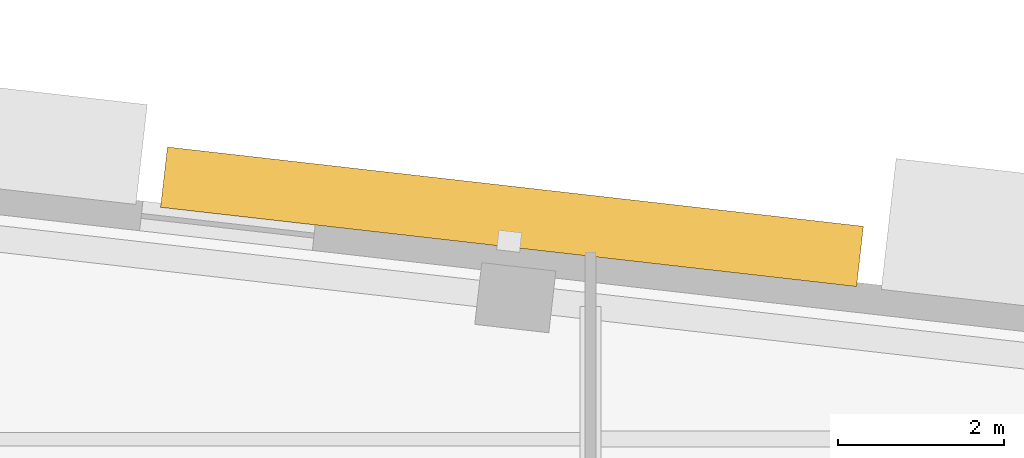
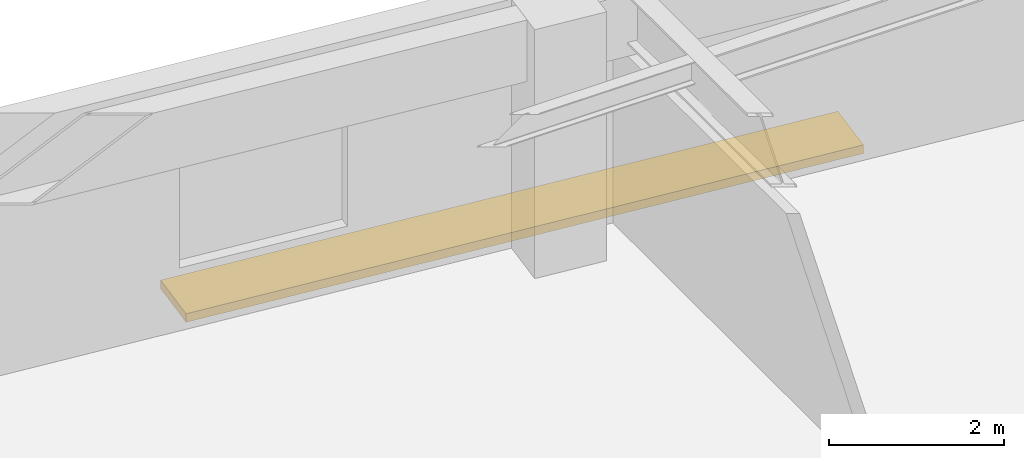
# One storey, part 14 of 14: 1 shading device.
"""IFC4 building model written with IfcOpenShell, lengths in metres."""

import ifcopenshell
import ifcopenshell.guid

model = None  # the IFC model being written
_history = None  # IfcOwnerHistory: only IFC2X3 demands one
_inside = {}  # id of a spatial element -> (the spatial element, [elements in it])
_under = {}  # id of a project, library or spatial element -> (it, [spatial elements below it])
_declared = {}  # id of a project -> (the project, [libraries it declares])
_typed = {}  # id of a type object -> (the type object, [elements of that type])
_made_of = {}  # id of a material, layer set ... -> (it, [elements and type objects made of it])


def new_model(schema):
    """Start an empty IFC model of exactly this schema.

    Asked for "IFC4X3", IfcOpenShell would pick the latest addendum, in which some entities
    have other attributes; the version numbers below select the first issue.
    IFC2X3 requires an IfcOwnerHistory on every rooted entity: one is made here for all.
    """
    global model, _history
    if schema == "IFC4X3":
        model = ifcopenshell.file(schema_version=(4, 3, 0, 0))
    else:
        model = ifcopenshell.file(schema=schema)
    _inside.clear()
    _under.clear()
    _declared.clear()
    _typed.clear()
    _made_of.clear()
    _history = None
    if model.schema == "IFC2X3":
        org = make("IfcOrganization", Name="unknown")
        user = make(
            "IfcPersonAndOrganization",
            ThePerson=make("IfcPerson", FamilyName="unknown"),
            TheOrganization=org,
        )
        app = make(
            "IfcApplication",
            ApplicationDeveloper=org,
            Version="unknown",
            ApplicationFullName="unknown",
            ApplicationIdentifier="unknown",
        )
        _history = make(
            "IfcOwnerHistory",
            OwningUser=user,
            OwningApplication=app,
            ChangeAction="ADDED",
            CreationDate=0,
        )
    return model


def make(cls, **values):
    """One entity of the class cls with the attributes given. An attribute that is None is left unset."""
    return model.create_entity(
        cls, **{name: value for name, value in values.items() if value is not None}
    )


def rooted(cls, **values):
    """An entity with a GlobalId (a new one), such as an element, a storey or a relation."""
    return make(cls, GlobalId=ifcopenshell.guid.new(), OwnerHistory=_history, **values)


def si_unit(unit_type, name, prefix=None):
    """IfcSIUnit, for example si_unit("LENGTHUNIT", "METRE", prefix="MILLI")."""
    return make("IfcSIUnit", UnitType=unit_type, Prefix=prefix, Name=name)


def assignment(units):
    """IfcUnitAssignment: the units of a project."""
    return None if units is None else make("IfcUnitAssignment", Units=units)


def point(xyz):
    """IfcCartesianPoint."""
    return None if xyz is None else make("IfcCartesianPoint", Coordinates=xyz)


def direction(xyz):
    """IfcDirection."""
    return None if xyz is None else make("IfcDirection", DirectionRatios=xyz)


def frame(location, z_axis=None, x_axis=None):
    """IfcAxis2Placement3D, a coordinate frame: its origin and axes. An axis left out is left unset."""
    return make(
        "IfcAxis2Placement3D",
        Location=point(location),
        Axis=direction(z_axis),
        RefDirection=direction(x_axis),
    )


def frame_2d(location, x_axis=None):
    """IfcAxis2Placement2D, a coordinate frame in the plane: its origin and x axis."""
    return make(
        "IfcAxis2Placement2D", Location=point(location), RefDirection=direction(x_axis)
    )


def origin():
    """The frame at (0, 0, 0) with its axes left unset."""
    return frame((0.0, 0.0, 0.0))


def origin_2d():
    """The frame at (0, 0) in the plane with its x axis left unset."""
    return frame_2d((0.0, 0.0))


def place(relative_to, where):
    """IfcLocalPlacement: puts the frame where relative to a parent placement (None: the world)."""
    return make(
        "IfcLocalPlacement", PlacementRelTo=relative_to, RelativePlacement=where
    )


def context(
    kind, dimensions, precision=None, world=None, true_north=None, identifier=None
):
    """IfcGeometricRepresentationContext, for example the 3D "Model" context."""
    return make(
        "IfcGeometricRepresentationContext",
        ContextIdentifier=identifier,
        ContextType=kind,
        CoordinateSpaceDimension=dimensions,
        Precision=precision,
        WorldCoordinateSystem=world,
        TrueNorth=true_north,
    )


def subcontext(parent, identifier, kind, view, scale=None):
    """IfcGeometricRepresentationSubContext, for example "Body" below "Model"."""
    return make(
        "IfcGeometricRepresentationSubContext",
        ContextIdentifier=identifier,
        ContextType=kind,
        ParentContext=parent,
        TargetScale=scale,
        TargetView=view,
    )


def project(units=None, contexts=None):
    """IfcProject with its units and contexts."""
    return rooted(
        "IfcProject",
        Name="project",
        RepresentationContexts=contexts,
        UnitsInContext=assignment(units),
    )


def spatial(cls, under=None, at=None, **own):
    """A site, building, storey or space (cls), placed at a placement, below another one or the project."""
    s = rooted(cls, ObjectPlacement=at, **own)
    if under is not None:
        _under.setdefault(under.id(), (under, []))[1].append(s)
    return s


def profile(cls, at=None, kind="AREA", **sizes):
    """A parametric profile (cls). Its sizes go by their IFC names, for example OverallWidth=200.0."""
    return make(cls, ProfileType=kind, Position=at, **sizes)


def rectangle(**sizes):
    """IfcRectangleProfileDef."""
    return profile("IfcRectangleProfileDef", **sizes)


def extrude(swept, where, along, depth):
    """IfcExtrudedAreaSolid: the profile swept, set in the frame where, extruded along a direction by depth."""
    return make(
        "IfcExtrudedAreaSolid",
        SweptArea=swept,
        Position=where,
        ExtrudedDirection=direction(along),
        Depth=depth,
    )


def shape(context_of_items, identifier, shape_type, items):
    """IfcShapeRepresentation: the items that make up one representation, for example the "Body"."""
    return make(
        "IfcShapeRepresentation",
        ContextOfItems=context_of_items,
        RepresentationIdentifier=identifier,
        RepresentationType=shape_type,
        Items=items,
    )


def material(Name=None, Category=None):
    """IfcMaterial."""
    return make("IfcMaterial", Name=Name, Category=Category)


def made_of(thing, what):
    """Note that an element or type object is made of a material, layer set ...; save() writes the relation."""
    if what is not None:
        _made_of.setdefault(what.id(), (what, []))[1].append(thing)
    return thing


def type_object(cls, material=None, **own):
    """A type object (cls), such as IfcWallType, which elements share."""
    return made_of(rooted(cls, **own), material)


def element(
    cls,
    number,
    at=None,
    inside=None,
    cuts=None,
    type_object=None,
    material=None,
    context=None,
    identifier="Body",
    shape_type=None,
    held_by="IfcProductDefinitionShape",
    body=None,
    shapes=None,
    **own,
):
    """One element of the class cls, such as IfcWall. Its Tag is "e" and its number.

    at: its placement. inside: the storey or other place that contains it. cuts: it is an
    opening in that element (IfcRelVoidsElement). A single representation is given by context,
    identifier, shape_type and body (its items); several are given by shapes. held_by: the class
    of the entity that holds the representations. save() writes the other relations.
    """
    e = rooted(cls, Tag="e%d" % number, ObjectPlacement=at, **own)
    if body is not None:
        shapes = [shape(context, identifier, shape_type, body)]
    if shapes is not None:
        e.Representation = make(held_by, Representations=shapes)
    if inside is not None:
        _inside.setdefault(inside.id(), (inside, []))[1].append(e)
    if cuts is not None:
        rooted(
            "IfcRelVoidsElement", RelatingBuildingElement=cuts, RelatedOpeningElement=e
        )
    if type_object is not None:
        _typed.setdefault(type_object.id(), (type_object, []))[1].append(e)
    return made_of(e, material)


def aggregate(whole, parts):
    """IfcRelAggregates: a whole, such as a stair, and the parts it consists of."""
    return rooted("IfcRelAggregates", RelatingObject=whole, RelatedObjects=parts)


def save(model, path):
    """Write the relations noted so far, then the file.

    IfcRelAggregates (storeys below a building ...), IfcRelContainedInSpatialStructure (elements
    in a storey), IfcRelDefinesByType, IfcRelAssociatesMaterial and IfcRelDeclares: one each for
    every whole, place, type object, material and project.
    """
    for whole, parts in _under.values():
        aggregate(whole, parts)
    for where, things in _inside.values():
        rooted(
            "IfcRelContainedInSpatialStructure",
            RelatedElements=things,
            RelatingStructure=where,
        )
    for kind, things in _typed.values():
        rooted("IfcRelDefinesByType", RelatedObjects=things, RelatingType=kind)
    for what, things in _made_of.values():
        rooted("IfcRelAssociatesMaterial", RelatedObjects=things, RelatingMaterial=what)
    for by, libraries in _declared.values():
        rooted("IfcRelDeclares", RelatingContext=by, RelatedDefinitions=libraries)
    model.write(path)


model = new_model("IFC4")

# Units and contexts
model_context = context("Model", 3, precision=1e-05, world=origin(), true_north=direction((0.0, 1.0)))
body_context = subcontext(model_context, "Body", "Model", "MODEL_VIEW")
ifc_project = project(units=[si_unit("LENGTHUNIT", "METRE"), si_unit("AREAUNIT", "SQUARE_METRE"), si_unit("VOLUMEUNIT", "CUBIC_METRE"), si_unit("PLANEANGLEUNIT", "RADIAN"), si_unit("MASSUNIT", "GRAM", prefix="KILO")], contexts=[model_context])

# Site, building, storey
site_placement = place(None, origin())
site = spatial("IfcSite", under=ifc_project, at=site_placement, CompositionType="ELEMENT")
building_placement = place(site_placement, origin())
building = spatial("IfcBuilding", under=site, at=building_placement, Name="Kolvaren Arena Tower", CompositionType="ELEMENT")
storey_placement = place(building_placement, frame((0.0, 0.0, 235.949951171875)))
storey = spatial("IfcBuildingStorey", under=building, at=storey_placement, Name="L57", CompositionType="ELEMENT", Elevation=235.949951171875)

# Shading device
ifc_material = material(Name="Architectural precast GFRC and anodised aluminium sunshade", Category="concrete")
shading_device_type = type_object("IfcShadingDeviceType", Name="SHAD-SINE-A", PredefinedType="USERDEFINED", material=ifc_material)
shading_device_placement = place(storey_placement, frame((43.05078125, 47.435791015625, -0.139892578125), z_axis=(0.0, 0.0, 1.0), x_axis=(0.993571658098, -0.113204947878, 0.0)))
element("IfcShadingDevice", 1, at=shading_device_placement, inside=storey, type_object=shading_device_type, Name="Sinusoidal Slab-Edge Sunshade Louvre (L57)", ObjectType="LOUVRE", PredefinedType="USERDEFINED", context=body_context, shape_type="SweptSolid", body=[
    extrude(rectangle(XDim=8.4599609375, YDim=0.733154296875, at=origin_2d()), origin(), (0.0, 0.0, 1.0), 0.1201171875),
])

save(model, "model.ifc")
